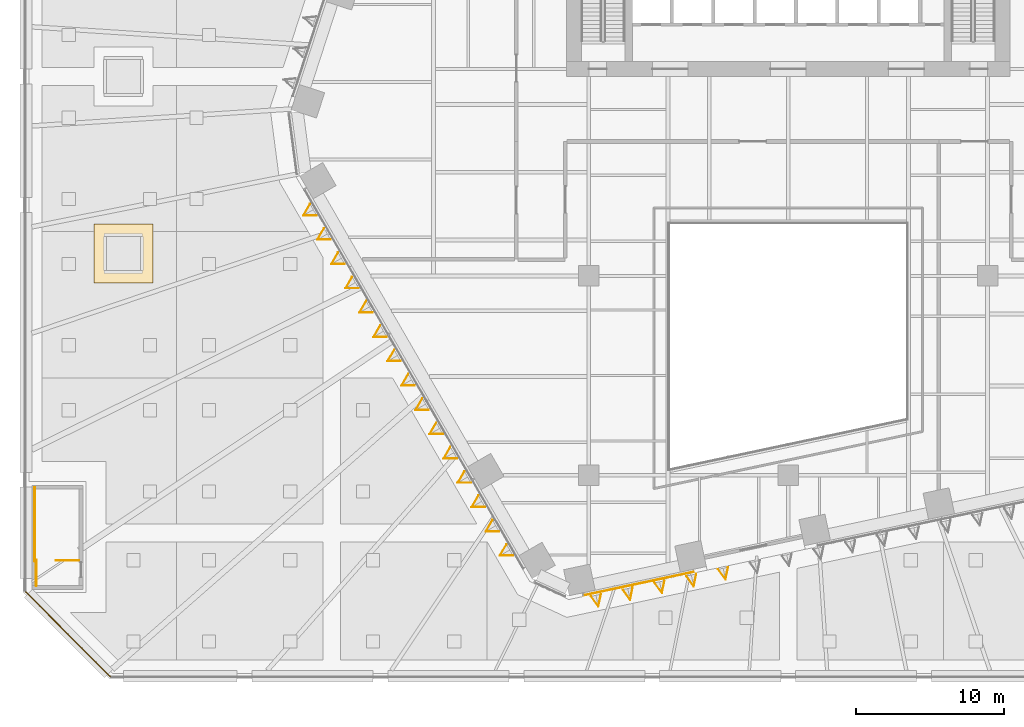
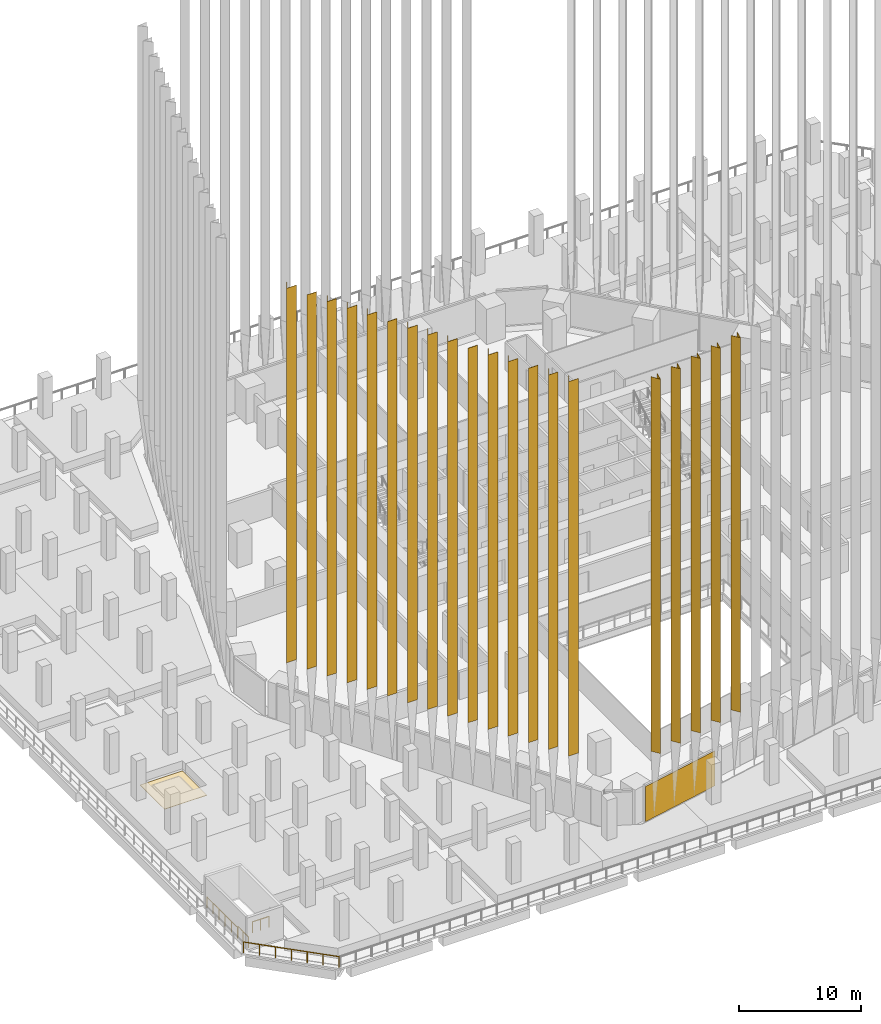
# One storey, part 30 of 51: 22 coverings, 4 railings, 1 element without a shape of its own.
"""IFC4 building model written with IfcOpenShell, lengths in metres."""

from ifc_helpers import new_model, si_unit, direction, frame, origin, origin_2d, place, context, subcontext, project, spatial, polyline, rectangle, circle, outline, extrude, material, layer, layer_set, material_profile, profile_set, type_object, element, aggregate, save


model = new_model("IFC4")

# Units and contexts
model_context = context("Model", 3, precision=1e-05, world=origin(), true_north=direction((0.0, 1.0)))
body_context = subcontext(model_context, "Body", "Model", "MODEL_VIEW")
ifc_project = project(units=[si_unit("LENGTHUNIT", "METRE"), si_unit("AREAUNIT", "SQUARE_METRE"), si_unit("VOLUMEUNIT", "CUBIC_METRE"), si_unit("PLANEANGLEUNIT", "RADIAN"), si_unit("MASSUNIT", "GRAM", prefix="KILO")], contexts=[model_context])

# Site, building, storey
site_placement = place(None, origin())
site = spatial("IfcSite", under=ifc_project, at=site_placement, CompositionType="ELEMENT")
building_placement = place(site_placement, origin())
building = spatial("IfcBuilding", under=site, at=building_placement, Name="Isthmus Gate Tower", CompositionType="ELEMENT")
storey_placement = place(building_placement, frame((0.0, 0.0, 36.0)))
storey = spatial("IfcBuildingStorey", under=building, at=storey_placement, Name="L06", CompositionType="ELEMENT", Elevation=36.0)

# Curtain wall, covering
ifc_material_1 = material(Name="Aluminium, pale champagne anodised", Category="aluminium")
ifc_layer_1 = layer(ifc_material_1, 0.199951171875)
ifc_layer_set_1 = layer_set([ifc_layer_1], Name="CW-1 UNITISED CURTAIN WALL 200 DEEP")
curtain_wall_type = type_object("IfcCurtainWallType", Name="CW-1 UNITISED CURTAIN WALL 200 DEEP", PredefinedType="NOTDEFINED", material=ifc_layer_set_1)
curtain_wall_placement = place(storey_placement, origin())
curtain_wall = element("IfcCurtainWall", 1, at=curtain_wall_placement, inside=storey, type_object=curtain_wall_type, Name="CW-1 S L06", PredefinedType="NOTDEFINED")
ifc_material_2 = material(Name="Aluminium composite panel, pale champagne anodised", Category="aluminium")
ifc_layer_2 = layer(ifc_material_2, 0.0400390625)
ifc_layer_set_2 = layer_set([ifc_layer_2], Name="CW-1 PALE METAL PANEL 40")
covering_type_1 = type_object("IfcCoveringType", Name="CW-1 PALE METAL PANEL 40", PredefinedType="CLADDING", material=ifc_layer_set_2)
covering_1_placement = place(storey_placement, frame((-10.117919921875, -34.334716796875, 0.0), z_axis=(0.0, 0.0, 1.0), x_axis=(0.978147600734, 0.207911690818, 0.0)))
covering_1 = element("IfcCovering", 2, at=covering_1_placement, type_object=covering_type_1, Name="CW-1 pale metal panel", PredefinedType="CLADDING", context=body_context, shape_type="SweptSolid", body=[
    extrude(rectangle(XDim=7.62939453125, YDim=0.0400390625, at=origin_2d()), origin(), (0.0, 0.0, 1.0), 3.5),
])
aggregate(curtain_wall, [covering_1])

# Coverings
ifc_material_3 = material(Name="Structural steel ASTM A572 Gr 50, white paint system", Category="steel")
ifc_material_profile_1 = material_profile(ifc_material_3, outline(polyline([(0.0, -0.356201171875), (0.800048828125, 0.0), (0.0, 0.356201171875), (0.0, 0.3232421875), (0.726318359375, 0.0), (0.0, -0.3232421875), (0.0, -0.356201171875)])), Name="V800")
ifc_profile_set_1 = profile_set([ifc_material_profile_1], Name="Structural steel ASTM A572 Gr 50, white paint system")
covering_type_2 = type_object("IfcCoveringType", Name="FIN V 800 DEEP", PredefinedType="CLADDING", material=ifc_profile_set_1)
for number, where, z_axis, x_axis, name in (
    (3, (-13.012939453125, -35.123779296875, 6.89990234375), (0.0, 0.0, 1.0), (0.207911690818, -0.978147600734, 0.0), "FIN"),
    (4, (-10.861083984375, -34.66650390625, 6.89990234375), (0.0, 0.0, 1.0), (0.207911690818, -0.978147600734, 0.0), "FIN"),
    (5, (-8.709228515625, -34.208984375, 6.89990234375), (0.0, 0.0, 1.0), (0.207911690818, -0.978147600734, 0.0), "FIN"),
    (6, (-6.55712890625, -33.751708984375, 6.89990234375), (0.0, 0.0, 1.0), (0.207911690818, -0.978147600734, 0.0), "FIN"),
    (7, (-4.4052734375, -33.294189453125, 6.89990234375), (0.0, 0.0, 1.0), (0.207911690818, -0.978147600734, 0.0), "FIN"),
):
    element("IfcCovering", number, at=place(storey_placement, frame(where, z_axis=z_axis, x_axis=x_axis)), inside=storey, type_object=covering_type_2, Name=name, ObjectType="FIN", PredefinedType="CLADDING", context=body_context, shape_type="SweptSolid", body=[
        extrude(outline(polyline([(0.0, -0.356201171875), (0.800048828125, 0.0), (0.0, 0.356201171875), (0.0, 0.3232421875), (0.726318359375, 0.0), (0.0, -0.3232421875), (0.0, -0.356201171875)])), origin(), (0.0, 0.0, 1.0), 37.35009765625),
    ])
ifc_material_4 = material(Name="Structural steel ASTM A572 Gr 50, white paint system", Category="steel")
ifc_material_profile_2 = material_profile(ifc_material_4, outline(polyline([(0.0, -0.4619140625), (0.800048828125, 0.0), (0.0, 0.4619140625), (0.0, 0.42724609375), (0.739990234375, 0.0), (0.0, -0.42724609375), (0.0, -0.4619140625)])), Name="V800W")
ifc_profile_set_2 = profile_set([ifc_material_profile_2], Name="Structural steel ASTM A572 Gr 50, white paint system")
covering_type_3 = type_object("IfcCoveringType", Name="FIN V 800 DEEP WIDE", PredefinedType="CLADDING", material=ifc_profile_set_2)
for number, where, z_axis, x_axis, name in (
    (8, (-32.147216796875, -9.019287109375, 6.89990234375), (0.0, 0.0, 1.0), (-0.866025403784, -0.5, 0.0), "FIN"),
    (9, (-31.197265625, -10.66455078125, 6.89990234375), (0.0, 0.0, 1.0), (-0.866025403784, -0.5, 0.0), "FIN"),
    (10, (-30.247314453125, -12.31005859375, 6.89990234375), (0.0, 0.0, 1.0), (-0.866025403784, -0.5, 0.0), "FIN"),
    (11, (-29.29736328125, -13.95556640625, 6.89990234375), (0.0, 0.0, 1.0), (-0.866025403784, -0.5, 0.0), "FIN"),
    (12, (-28.347412109375, -15.60107421875, 6.89990234375), (0.0, 0.0, 1.0), (-0.866025403784, -0.5, 0.0), "FIN"),
    (13, (-27.397216796875, -17.246337890625, 6.89990234375), (0.0, 0.0, 1.0), (-0.866025403784, -0.5, 0.0), "FIN"),
    (14, (-26.447265625, -18.891845703125, 6.89990234375), (0.0, 0.0, 1.0), (-0.866025403784, -0.5, 0.0), "FIN"),
    (15, (-25.497314453125, -20.537353515625, 6.89990234375), (0.0, 0.0, 1.0), (-0.866025403784, -0.5, 0.0), "FIN"),
    (16, (-24.54736328125, -22.182861328125, 6.89990234375), (0.0, 0.0, 1.0), (-0.866025403784, -0.5, 0.0), "FIN"),
    (17, (-23.597412109375, -23.828125, 6.89990234375), (0.0, 0.0, 1.0), (-0.866025403784, -0.5, 0.0), "FIN"),
    (18, (-22.647216796875, -25.4736328125, 6.89990234375), (0.0, 0.0, 1.0), (-0.866025403784, -0.5, 0.0), "FIN"),
    (19, (-21.697265625, -27.119140625, 6.89990234375), (0.0, 0.0, 1.0), (-0.866025403784, -0.5, 0.0), "FIN"),
    (20, (-20.747314453125, -28.7646484375, 6.89990234375), (0.0, 0.0, 1.0), (-0.866025403784, -0.5, 0.0), "FIN"),
    (21, (-19.79736328125, -30.409912109375, 6.89990234375), (0.0, 0.0, 1.0), (-0.866025403784, -0.5, 0.0), "FIN"),
    (22, (-18.847412109375, -32.055419921875, 6.89990234375), (0.0, 0.0, 1.0), (-0.866025403784, -0.5, 0.0), "FIN"),
):
    element("IfcCovering", number, at=place(storey_placement, frame(where, z_axis=z_axis, x_axis=x_axis)), inside=storey, type_object=covering_type_3, Name=name, ObjectType="FIN", PredefinedType="CLADDING", context=body_context, shape_type="SweptSolid", body=[
        extrude(outline(polyline([(0.0, -0.4619140625), (0.800048828125, 0.0), (0.0, 0.4619140625), (0.0, 0.42724609375), (0.739990234375, 0.0), (0.0, -0.42724609375), (0.0, -0.4619140625)])), origin(), (0.0, 0.0, 1.0), 37.35009765625),
    ])

# Railings
ifc_material_5 = material(Name="Stainless steel posts and toughened laminated glass", Category="steel")
railing_type_1 = type_object("IfcRailingType", Name="GUARD 1100 TERRACE GLASS", PredefinedType="GUARDRAIL", material=ifc_material_5)
railing_1_placement = place(storey_placement, frame((-45.8974609375, -40.607666015625, 0.0)))
element("IfcRailing", 23, at=railing_1_placement, inside=storey, type_object=railing_type_1, Name="TERRACE GUARD", PredefinedType="GUARDRAIL", context=body_context, shape_type="SweptSolid", body=[
    extrude(circle(Radius=0.02490234375, at=origin_2d()), frame((0.0, 0.0, 1.0751953125), z_axis=(-0.707106781187, 0.707106781187, 0.0), x_axis=(-0.707106781187, -0.707106781187, 0.0)), (0.0, 0.0, 1.0), 8.075439453125),
    extrude(circle(Radius=0.02490234375, at=origin_2d()), origin(), (0.0, 0.0, 1.0), 1.050048828125),
    extrude(circle(Radius=0.02490234375, at=origin_2d()), frame((-0.95166015625, 0.95166015625, 0.0)), (0.0, 0.0, 1.0), 1.050048828125),
    extrude(circle(Radius=0.02490234375, at=origin_2d()), frame((-1.9033203125, 1.9033203125, 0.0)), (0.0, 0.0, 1.0), 1.050048828125),
    extrude(circle(Radius=0.02490234375, at=origin_2d()), frame((-2.85498046875, 2.85498046875, 0.0)), (0.0, 0.0, 1.0), 1.050048828125),
    extrude(circle(Radius=0.02490234375, at=origin_2d()), frame((-3.806884765625, 3.806884765625, 0.0)), (0.0, 0.0, 1.0), 1.050048828125),
    extrude(circle(Radius=0.02490234375, at=origin_2d()), frame((-4.758544921875, 4.758544921875, 0.0)), (0.0, 0.0, 1.0), 1.050048828125),
    extrude(circle(Radius=0.02490234375, at=origin_2d()), frame((-5.710205078125, 5.710205078125, 0.0)), (0.0, 0.0, 1.0), 1.050048828125),
])
ifc_material_6 = material(Name="Painted steel balusters with timber handrail", Category="steel")
railing_type_2 = type_object("IfcRailingType", Name="Podium stair guard 1100", PredefinedType="GUARDRAIL", material=ifc_material_6)
railing_2_placement = place(storey_placement, frame((-48.0, -32.77490234375, 0.0)))
element("IfcRailing", 24, at=railing_2_placement, inside=storey, type_object=railing_type_2, Name="L06 ST3 top well guard 1", PredefinedType="GUARDRAIL", context=body_context, shape_type="SweptSolid", body=[
    extrude(circle(Radius=0.02392578125, at=origin_2d()), frame((0.0, 0.0, 1.076171875), z_axis=(-1.0, 0.0, 0.0), x_axis=(0.0, -1.0, 0.0)), (0.0, 0.0, 1.0), 1.550048828125),
    extrude(circle(Radius=0.02099609375, at=origin_2d()), origin(), (0.0, 0.0, 1.0), 1.052001953125),
    extrude(circle(Radius=0.02099609375, at=origin_2d()), frame((-0.77490234375, 0.0, 0.0)), (0.0, 0.0, 1.0), 1.052001953125),
    extrude(circle(Radius=0.02099609375, at=origin_2d()), frame((-1.550048828125, 0.0, 0.0)), (0.0, 0.0, 1.0), 1.052001953125),
])
railing_3_placement = place(storey_placement, frame((-51.0, -32.824951171875, 0.0)))
element("IfcRailing", 25, at=railing_3_placement, inside=storey, type_object=railing_type_2, Name="L06 ST3 top well guard 2", PredefinedType="GUARDRAIL", context=body_context, shape_type="SweptSolid", body=[
    extrude(circle(Radius=0.02392578125, at=origin_2d()), frame((0.0, 0.0, 1.076171875), z_axis=(0.0, 1.0, 0.0), x_axis=(-1.0, 0.0, 0.0)), (0.0, 0.0, 1.0), 4.995849609375),
    extrude(circle(Radius=0.02099609375, at=origin_2d()), origin(), (0.0, 0.0, 1.0), 1.052001953125),
    extrude(circle(Radius=0.02099609375, at=origin_2d()), frame((0.0, 0.999267578125, 0.0)), (0.0, 0.0, 1.0), 1.052001953125),
    extrude(circle(Radius=0.02099609375, at=origin_2d()), frame((0.0, 1.998291015625, 0.0)), (0.0, 0.0, 1.0), 1.052001953125),
    extrude(circle(Radius=0.02099609375, at=origin_2d()), frame((0.0, 2.99755859375, 0.0)), (0.0, 0.0, 1.0), 1.052001953125),
    extrude(circle(Radius=0.02099609375, at=origin_2d()), frame((0.0, 3.99658203125, 0.0)), (0.0, 0.0, 1.0), 1.052001953125),
    extrude(circle(Radius=0.02099609375, at=origin_2d()), frame((0.0, 4.995849609375, 0.0)), (0.0, 0.0, 1.0), 1.052001953125),
])
railing_4_placement = place(storey_placement, frame((-50.89990234375, -34.47509765625, 0.0)))
element("IfcRailing", 26, at=railing_4_placement, inside=storey, type_object=railing_type_2, Name="L06 ST3 top well guard 3", PredefinedType="GUARDRAIL", context=body_context, shape_type="SweptSolid", body=[
    extrude(circle(Radius=0.02392578125, at=origin_2d()), frame((0.0, 0.0, 1.076171875), z_axis=(0.0, 1.0, 0.0), x_axis=(-1.0, 0.0, 0.0)), (0.0, 0.0, 1.0), 1.75),
    extrude(circle(Radius=0.02099609375, at=origin_2d()), origin(), (0.0, 0.0, 1.0), 1.052001953125),
    extrude(circle(Radius=0.02099609375, at=origin_2d()), frame((0.0, 0.875, 0.0)), (0.0, 0.0, 1.0), 1.052001953125),
    extrude(circle(Radius=0.02099609375, at=origin_2d()), frame((0.0, 1.75, 0.0)), (0.0, 0.0, 1.0), 1.052001953125),
])

# Covering
ifc_material_7 = material(Name="Granite paving slabs on pedestals", Category="masonry")
ifc_layer_3 = layer(ifc_material_7, 0.0400390625)
ifc_layer_set_3 = layer_set([ifc_layer_3], Name="TERRACE PAVING 40")
covering_type_4 = type_object("IfcCoveringType", Name="TERRACE PAVING 40", PredefinedType="FLOORING", material=ifc_layer_set_3)
covering_2_placement = place(storey_placement, origin())
element("IfcCovering", 27, at=covering_2_placement, inside=storey, type_object=covering_type_4, Name="TERRACE PAVING", PredefinedType="FLOORING", context=body_context, shape_type="SweptSolid", body=[
    extrude(outline(polyline([(-43.0, -14.0), (-47.0, -14.0), (-47.0, -10.5), (-47.0, -10.0), (-43.0, -10.0), (-43.0, -10.5), (-43.0, -14.0)])), origin(), (0.0, 0.0, 1.0), 0.0400390625),
])

save(model, "model.ifc")
